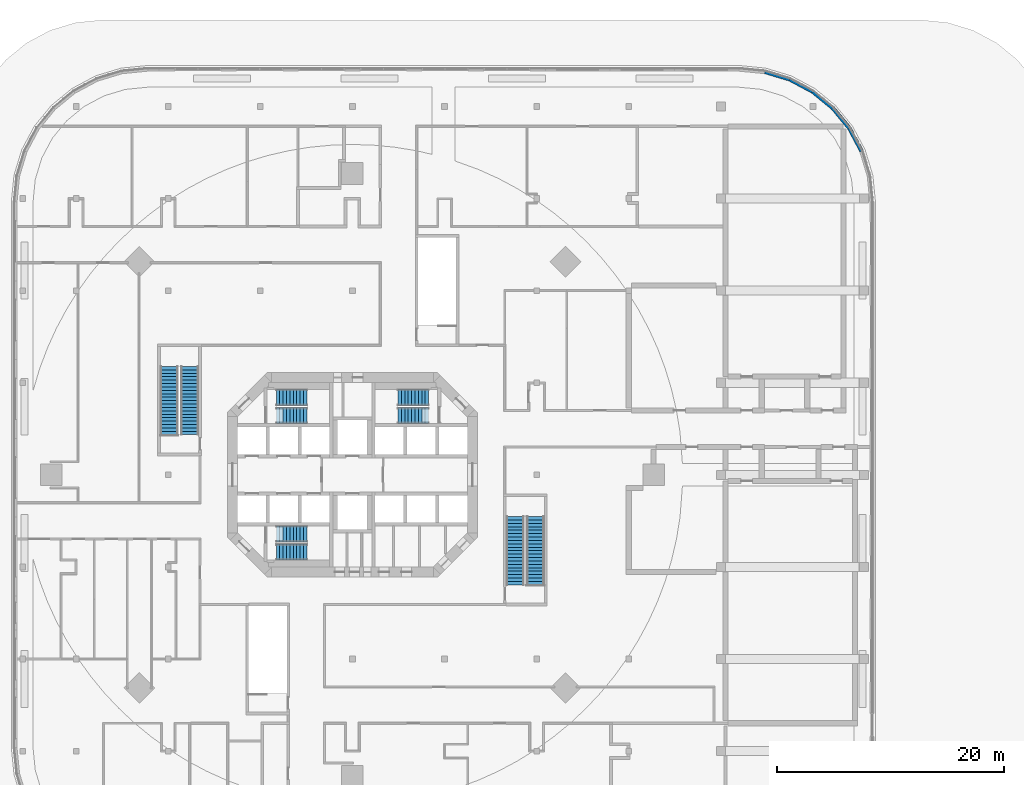
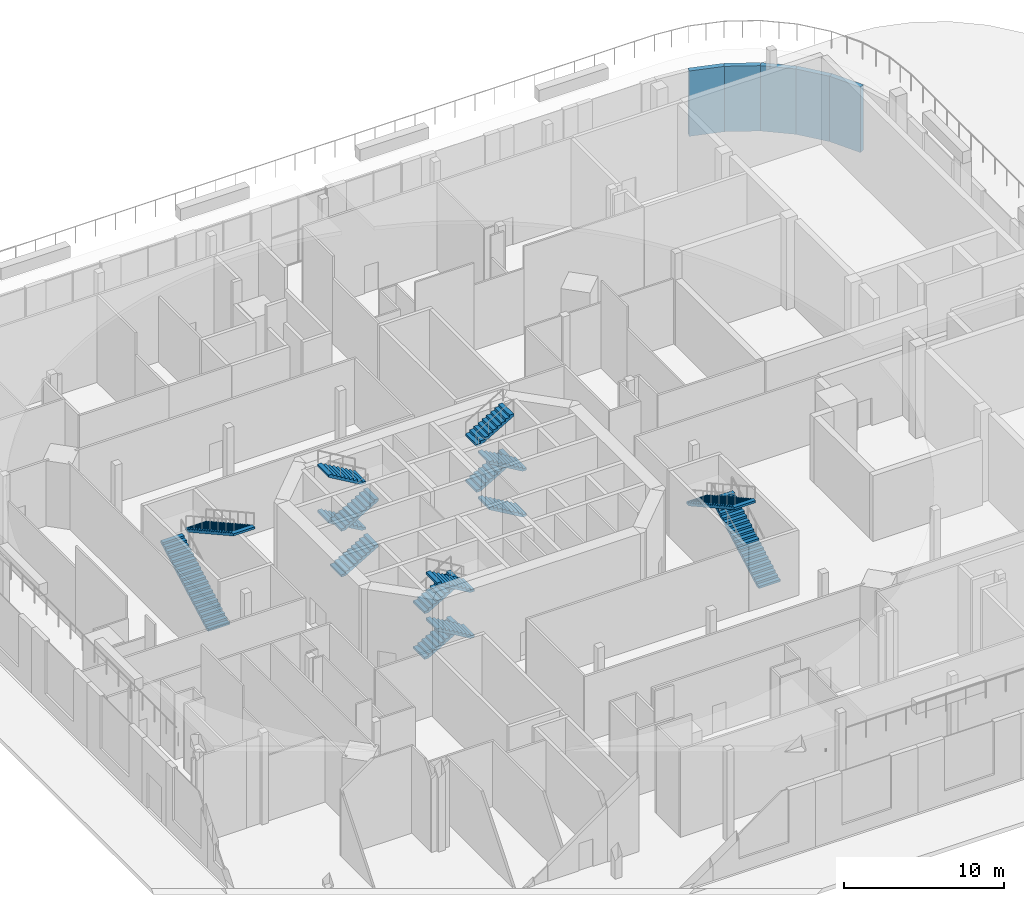
# One storey, part 14 of 17: 16 stair flights, 5 walls, 5 elements without a shape of their own.
"""IFC4 building model written with IfcOpenShell, lengths in metres."""

import ifcopenshell
import ifcopenshell.guid

model = None  # the IFC model being written
_history = None  # IfcOwnerHistory: only IFC2X3 demands one
_inside = {}  # id of a spatial element -> (the spatial element, [elements in it])
_under = {}  # id of a project, library or spatial element -> (it, [spatial elements below it])
_declared = {}  # id of a project -> (the project, [libraries it declares])
_typed = {}  # id of a type object -> (the type object, [elements of that type])
_made_of = {}  # id of a material, layer set ... -> (it, [elements and type objects made of it])


def new_model(schema):
    """Start an empty IFC model of exactly this schema.

    Asked for "IFC4X3", IfcOpenShell would pick the latest addendum, in which some entities
    have other attributes; the version numbers below select the first issue.
    IFC2X3 requires an IfcOwnerHistory on every rooted entity: one is made here for all.
    """
    global model, _history
    if schema == "IFC4X3":
        model = ifcopenshell.file(schema_version=(4, 3, 0, 0))
    else:
        model = ifcopenshell.file(schema=schema)
    _inside.clear()
    _under.clear()
    _declared.clear()
    _typed.clear()
    _made_of.clear()
    _history = None
    if model.schema == "IFC2X3":
        org = make("IfcOrganization", Name="unknown")
        user = make(
            "IfcPersonAndOrganization",
            ThePerson=make("IfcPerson", FamilyName="unknown"),
            TheOrganization=org,
        )
        app = make(
            "IfcApplication",
            ApplicationDeveloper=org,
            Version="unknown",
            ApplicationFullName="unknown",
            ApplicationIdentifier="unknown",
        )
        _history = make(
            "IfcOwnerHistory",
            OwningUser=user,
            OwningApplication=app,
            ChangeAction="ADDED",
            CreationDate=0,
        )
    return model


def make(cls, **values):
    """One entity of the class cls with the attributes given. An attribute that is None is left unset."""
    return model.create_entity(
        cls, **{name: value for name, value in values.items() if value is not None}
    )


def rooted(cls, **values):
    """An entity with a GlobalId (a new one), such as an element, a storey or a relation."""
    return make(cls, GlobalId=ifcopenshell.guid.new(), OwnerHistory=_history, **values)


def si_unit(unit_type, name, prefix=None):
    """IfcSIUnit, for example si_unit("LENGTHUNIT", "METRE", prefix="MILLI")."""
    return make("IfcSIUnit", UnitType=unit_type, Prefix=prefix, Name=name)


def assignment(units):
    """IfcUnitAssignment: the units of a project."""
    return None if units is None else make("IfcUnitAssignment", Units=units)


def point(xyz):
    """IfcCartesianPoint."""
    return None if xyz is None else make("IfcCartesianPoint", Coordinates=xyz)


def direction(xyz):
    """IfcDirection."""
    return None if xyz is None else make("IfcDirection", DirectionRatios=xyz)


def frame(location, z_axis=None, x_axis=None):
    """IfcAxis2Placement3D, a coordinate frame: its origin and axes. An axis left out is left unset."""
    return make(
        "IfcAxis2Placement3D",
        Location=point(location),
        Axis=direction(z_axis),
        RefDirection=direction(x_axis),
    )


def frame_2d(location, x_axis=None):
    """IfcAxis2Placement2D, a coordinate frame in the plane: its origin and x axis."""
    return make(
        "IfcAxis2Placement2D", Location=point(location), RefDirection=direction(x_axis)
    )


def origin():
    """The frame at (0, 0, 0) with its axes left unset."""
    return frame((0.0, 0.0, 0.0))


def place(relative_to, where):
    """IfcLocalPlacement: puts the frame where relative to a parent placement (None: the world)."""
    return make(
        "IfcLocalPlacement", PlacementRelTo=relative_to, RelativePlacement=where
    )


def context(
    kind, dimensions, precision=None, world=None, true_north=None, identifier=None
):
    """IfcGeometricRepresentationContext, for example the 3D "Model" context."""
    return make(
        "IfcGeometricRepresentationContext",
        ContextIdentifier=identifier,
        ContextType=kind,
        CoordinateSpaceDimension=dimensions,
        Precision=precision,
        WorldCoordinateSystem=world,
        TrueNorth=true_north,
    )


def subcontext(parent, identifier, kind, view, scale=None):
    """IfcGeometricRepresentationSubContext, for example "Body" below "Model"."""
    return make(
        "IfcGeometricRepresentationSubContext",
        ContextIdentifier=identifier,
        ContextType=kind,
        ParentContext=parent,
        TargetScale=scale,
        TargetView=view,
    )


def project(units=None, contexts=None):
    """IfcProject with its units and contexts."""
    return rooted(
        "IfcProject",
        Name="project",
        RepresentationContexts=contexts,
        UnitsInContext=assignment(units),
    )


def spatial(cls, under=None, at=None, **own):
    """A site, building, storey or space (cls), placed at a placement, below another one or the project."""
    s = rooted(cls, ObjectPlacement=at, **own)
    if under is not None:
        _under.setdefault(under.id(), (under, []))[1].append(s)
    return s


def polyline(points):
    """IfcPolyline through the points."""
    return make("IfcPolyline", Points=[point(p) for p in points])


def profile(cls, at=None, kind="AREA", **sizes):
    """A parametric profile (cls). Its sizes go by their IFC names, for example OverallWidth=200.0."""
    return make(cls, ProfileType=kind, Position=at, **sizes)


def rectangle(**sizes):
    """IfcRectangleProfileDef."""
    return profile("IfcRectangleProfileDef", **sizes)


def outline(outer, holes=None, kind="AREA"):
    """IfcArbitraryClosedProfileDef: a profile drawn as a closed curve; with holes, ...WithVoids."""
    if holes is None:
        return make("IfcArbitraryClosedProfileDef", ProfileType=kind, OuterCurve=outer)
    return make(
        "IfcArbitraryProfileDefWithVoids",
        ProfileType=kind,
        OuterCurve=outer,
        InnerCurves=holes,
    )


def extrude(swept, where, along, depth):
    """IfcExtrudedAreaSolid: the profile swept, set in the frame where, extruded along a direction by depth."""
    return make(
        "IfcExtrudedAreaSolid",
        SweptArea=swept,
        Position=where,
        ExtrudedDirection=direction(along),
        Depth=depth,
    )


def shape(context_of_items, identifier, shape_type, items):
    """IfcShapeRepresentation: the items that make up one representation, for example the "Body"."""
    return make(
        "IfcShapeRepresentation",
        ContextOfItems=context_of_items,
        RepresentationIdentifier=identifier,
        RepresentationType=shape_type,
        Items=items,
    )


def material(Name=None, Category=None):
    """IfcMaterial."""
    return make("IfcMaterial", Name=Name, Category=Category)


def layer(
    of_material, thickness, ventilated=None, Name=None, Category=None, Priority=None
):
    """IfcMaterialLayer: one layer of a wall or slab, of a material (None: an air gap)."""
    return make(
        "IfcMaterialLayer",
        Material=of_material,
        LayerThickness=thickness,
        IsVentilated=ventilated,
        Name=Name,
        Category=Category,
        Priority=Priority,
    )


def layer_set(layers, Name=None):
    """IfcMaterialLayerSet."""
    return make("IfcMaterialLayerSet", MaterialLayers=layers, LayerSetName=Name)


def made_of(thing, what):
    """Note that an element or type object is made of a material, layer set ...; save() writes the relation."""
    if what is not None:
        _made_of.setdefault(what.id(), (what, []))[1].append(thing)
    return thing


def type_object(cls, material=None, **own):
    """A type object (cls), such as IfcWallType, which elements share."""
    return made_of(rooted(cls, **own), material)


def element(
    cls,
    number,
    at=None,
    inside=None,
    cuts=None,
    type_object=None,
    material=None,
    context=None,
    identifier="Body",
    shape_type=None,
    held_by="IfcProductDefinitionShape",
    body=None,
    shapes=None,
    **own,
):
    """One element of the class cls, such as IfcWall. Its Tag is "e" and its number.

    at: its placement. inside: the storey or other place that contains it. cuts: it is an
    opening in that element (IfcRelVoidsElement). A single representation is given by context,
    identifier, shape_type and body (its items); several are given by shapes. held_by: the class
    of the entity that holds the representations. save() writes the other relations.
    """
    e = rooted(cls, Tag="e%d" % number, ObjectPlacement=at, **own)
    if body is not None:
        shapes = [shape(context, identifier, shape_type, body)]
    if shapes is not None:
        e.Representation = make(held_by, Representations=shapes)
    if inside is not None:
        _inside.setdefault(inside.id(), (inside, []))[1].append(e)
    if cuts is not None:
        rooted(
            "IfcRelVoidsElement", RelatingBuildingElement=cuts, RelatedOpeningElement=e
        )
    if type_object is not None:
        _typed.setdefault(type_object.id(), (type_object, []))[1].append(e)
    return made_of(e, material)


def aggregate(whole, parts):
    """IfcRelAggregates: a whole, such as a stair, and the parts it consists of."""
    return rooted("IfcRelAggregates", RelatingObject=whole, RelatedObjects=parts)


def save(model, path):
    """Write the relations noted so far, then the file.

    IfcRelAggregates (storeys below a building ...), IfcRelContainedInSpatialStructure (elements
    in a storey), IfcRelDefinesByType, IfcRelAssociatesMaterial and IfcRelDeclares: one each for
    every whole, place, type object, material and project.
    """
    for whole, parts in _under.values():
        aggregate(whole, parts)
    for where, things in _inside.values():
        rooted(
            "IfcRelContainedInSpatialStructure",
            RelatedElements=things,
            RelatingStructure=where,
        )
    for kind, things in _typed.values():
        rooted("IfcRelDefinesByType", RelatedObjects=things, RelatingType=kind)
    for what, things in _made_of.values():
        rooted("IfcRelAssociatesMaterial", RelatedObjects=things, RelatingMaterial=what)
    for by, libraries in _declared.values():
        rooted("IfcRelDeclares", RelatingContext=by, RelatedDefinitions=libraries)
    model.write(path)


model = new_model("IFC4")

# Units and contexts
model_context = context("Model", 3, precision=1e-05, world=origin(), true_north=direction((0.0, 1.0)))
body_context = subcontext(model_context, "Body", "Model", "MODEL_VIEW")
ifc_project = project(units=[si_unit("LENGTHUNIT", "METRE"), si_unit("AREAUNIT", "SQUARE_METRE"), si_unit("VOLUMEUNIT", "CUBIC_METRE"), si_unit("PLANEANGLEUNIT", "RADIAN"), si_unit("MASSUNIT", "GRAM", prefix="KILO")], contexts=[model_context])

# Site, building, storey
site_placement = place(None, origin())
site = spatial("IfcSite", under=ifc_project, at=site_placement, CompositionType="ELEMENT")
building_placement = place(site_placement, origin())
building = spatial("IfcBuilding", under=site, at=building_placement, Name="Torre Triforio", CompositionType="ELEMENT")
storey_placement = place(building_placement, frame((0.0, 0.0, 13.0)))
storey = spatial("IfcBuildingStorey", under=building, at=storey_placement, Name="L02", CompositionType="ELEMENT", Elevation=13.0)

# Walls
ifc_material_1 = material(Name="Limestone cladding", Category="masonry")
ifc_layer_1 = layer(ifc_material_1, 0.10009765625)
ifc_material_2 = material(Name="Concrete C40", Category="concrete")
ifc_layer_2 = layer(ifc_material_2, 0.25)
ifc_layer_set = layer_set([ifc_layer_1, ifc_layer_2], Name="Limestone cladding / Concrete C40")
wall_type = type_object("IfcWallType", Name="Stone-clad podium wall 350", PredefinedType="STANDARD", material=ifc_layer_set)
for number, where, z_axis, x_axis, name in (
    (1, (44.784912109375, 28.46728515625, 0.0), (0.0, 0.0, 1.0), (-0.47145739061, 0.881888841544, 0.0), "External wall L02 e11.0.w0"),
    (2, (43.7060546875, 30.4853515625, 0.0), (0.0, 0.0, 1.0), (-0.634352578082, 0.773043858187, 0.0), "External wall L02 e12.0.w0"),
    (3, (42.25439453125, 32.25439453125, 0.0), (0.0, 0.0, 1.0), (-0.773043858187, 0.634352578082, 0.0), "External wall L02 e13.0.w0"),
    (4, (40.4853515625, 33.7060546875, 0.0), (0.0, 0.0, 1.0), (-0.881888841544, 0.47145739061, 0.0), "External wall L02 e14.0.w0"),
):
    element("IfcWall", number, at=place(storey_placement, frame(where, z_axis=z_axis, x_axis=x_axis)), inside=storey, type_object=wall_type, Name=name, PredefinedType="STANDARD", context=body_context, shape_type="SweptSolid", body=[
        extrude(rectangle(XDim=2.288330078125, YDim=0.35009765625, at=frame_2d((1.14404296875, 0.0))), origin(), (0.0, 0.0, 1.0), 5.0),
    ])
wall_placement = place(storey_placement, frame((38.46728515625, 34.784912109375, 0.0), z_axis=(0.0, 0.0, 1.0), x_axis=(-0.956940921075, 0.29028274763, 0.0)))
element("IfcWall", 5, at=wall_placement, inside=storey, type_object=wall_type, Name="External wall L02 e15.0.w0", PredefinedType="STANDARD", context=body_context, shape_type="SweptSolid", body=[
    extrude(rectangle(XDim=2.28857421875, YDim=0.35009765625, at=frame_2d((1.144287109375, 0.0))), origin(), (0.0, 0.0, 1.0), 5.0),
])

# Stair, stair flights
stair_type_1 = type_object("IfcStairType", Name="Egress stair 1400 clear", PredefinedType="NOTDEFINED", material=ifc_material_2)
stair_1_placement = place(storey_placement, origin())
stair_1 = element("IfcStair", 6, at=stair_1_placement, inside=storey, type_object=stair_type_1, Name="Exit stair PS1 L02 to L03", PredefinedType="NOTDEFINED")
stair_flight_type_1 = type_object("IfcStairFlightType", Name="Egress stair flight 1400", PredefinedType="STRAIGHT", material=ifc_material_2)
stair_flight_1_placement = place(storey_placement, frame((-16.10009765625, 3.52490234375, 0.0), z_axis=(0.0, 0.0, 1.0), x_axis=(0.0, 1.0, 0.0)))
stair_flight_1 = element("IfcStairFlight", 7, at=stair_flight_1_placement, type_object=stair_flight_type_1, Name="PS1 flight 1", NumberOfRisers=21, NumberOfTreads=20, PredefinedType="STRAIGHT", RiserHeight=0.166666667, TreadLength=0.3, context=body_context, shape_type="SweptSolid", body=[
    extrude(outline(polyline([(0.0, 0.0), (0.0, 0.166748046875), (0.300048828125, 0.166748046875), (0.300048828125, 0.333251953125), (0.60009765625, 0.333251953125), (0.60009765625, 0.5), (0.89990234375, 0.5), (0.89990234375, 0.666748046875), (1.199951171875, 0.666748046875), (1.199951171875, 0.833251953125), (1.5, 0.833251953125), (1.5, 1.0), (1.800048828125, 1.0), (1.800048828125, 1.166748046875), (2.10009765625, 1.166748046875), (2.10009765625, 1.333251953125), (2.39990234375, 1.333251953125), (2.39990234375, 1.5), (2.699951171875, 1.5), (2.699951171875, 1.666748046875), (3.0, 1.666748046875), (3.0, 1.833251953125), (3.300048828125, 1.833251953125), (3.300048828125, 2.0), (3.60009765625, 2.0), (3.60009765625, 2.166748046875), (3.89990234375, 2.166748046875), (3.89990234375, 2.333251953125), (4.199951171875, 2.333251953125), (4.199951171875, 2.5), (4.5, 2.5), (4.5, 2.666748046875), (4.800048828125, 2.666748046875), (4.800048828125, 2.833251953125), (5.10009765625, 2.833251953125), (5.10009765625, 3.0), (5.39990234375, 3.0), (5.39990234375, 3.166748046875), (5.699951171875, 3.166748046875), (5.699951171875, 3.333251953125), (6.0, 3.333251953125), (6.0, 3.5), (6.0, 3.161865234375), (0.30859375, 0.0), (0.0, 0.0)])), frame((0.0, 0.77490234375, 0.0), z_axis=(0.0, -1.0, 0.0), x_axis=(1.0, 0.0, 0.0)), (0.0, 0.0, 1.0), 1.550048828125),
])
stair_flight_2_placement = place(storey_placement, frame((-14.300048828125, 9.52490234375, 3.5), z_axis=(0.0, 0.0, 1.0), x_axis=(0.0, -1.0, 0.0)))
stair_flight_2 = element("IfcStairFlight", 8, at=stair_flight_2_placement, type_object=stair_flight_type_1, Name="PS1 flight 2", NumberOfRisers=21, NumberOfTreads=20, PredefinedType="STRAIGHT", RiserHeight=0.166666667, TreadLength=0.3, context=body_context, shape_type="SweptSolid", body=[
    extrude(outline(polyline([(0.0, 0.0), (0.0, 0.166748046875), (0.300048828125, 0.166748046875), (0.300048828125, 0.333251953125), (0.60009765625, 0.333251953125), (0.60009765625, 0.5), (0.89990234375, 0.5), (0.89990234375, 0.666748046875), (1.199951171875, 0.666748046875), (1.199951171875, 0.833251953125), (1.5, 0.833251953125), (1.5, 1.0), (1.800048828125, 1.0), (1.800048828125, 1.166748046875), (2.10009765625, 1.166748046875), (2.10009765625, 1.333251953125), (2.39990234375, 1.333251953125), (2.39990234375, 1.5), (2.699951171875, 1.5), (2.699951171875, 1.666748046875), (3.0, 1.666748046875), (3.0, 1.833251953125), (3.300048828125, 1.833251953125), (3.300048828125, 2.0), (3.60009765625, 2.0), (3.60009765625, 2.166748046875), (3.89990234375, 2.166748046875), (3.89990234375, 2.333251953125), (4.199951171875, 2.333251953125), (4.199951171875, 2.5), (4.5, 2.5), (4.5, 2.666748046875), (4.800048828125, 2.666748046875), (4.800048828125, 2.833251953125), (5.10009765625, 2.833251953125), (5.10009765625, 3.0), (5.39990234375, 3.0), (5.39990234375, 3.166748046875), (5.699951171875, 3.166748046875), (5.699951171875, 3.333251953125), (6.0, 3.333251953125), (6.0, 3.5), (6.0, 3.161865234375), (0.30859375, 0.0), (0.0, 0.0)])), frame((0.0, 0.77490234375, 0.0), z_axis=(0.0, -1.0, 0.0), x_axis=(1.0, 0.0, 0.0)), (0.0, 0.0, 1.0), 1.550048828125),
])
aggregate(stair_1, [stair_flight_1, stair_flight_2])

stair_2_placement = place(storey_placement, origin())
stair_2 = element("IfcStair", 9, at=stair_2_placement, inside=storey, type_object=stair_type_1, Name="Exit stair PS2 L02 to L03", PredefinedType="NOTDEFINED")
stair_flight_3_placement = place(storey_placement, frame((16.10009765625, -9.675048828125, 0.0), z_axis=(0.0, 0.0, 1.0), x_axis=(0.0, 1.0, 0.0)))
stair_flight_3 = element("IfcStairFlight", 10, at=stair_flight_3_placement, type_object=stair_flight_type_1, Name="PS2 flight 1", NumberOfRisers=21, NumberOfTreads=20, PredefinedType="STRAIGHT", RiserHeight=0.166666667, TreadLength=0.3, context=body_context, shape_type="SweptSolid", body=[
    extrude(outline(polyline([(0.0, 0.0), (0.0, 0.166748046875), (0.300048828125, 0.166748046875), (0.300048828125, 0.333251953125), (0.60009765625, 0.333251953125), (0.60009765625, 0.5), (0.89990234375, 0.5), (0.89990234375, 0.666748046875), (1.199951171875, 0.666748046875), (1.199951171875, 0.833251953125), (1.5, 0.833251953125), (1.5, 1.0), (1.800048828125, 1.0), (1.800048828125, 1.166748046875), (2.10009765625, 1.166748046875), (2.10009765625, 1.333251953125), (2.39990234375, 1.333251953125), (2.39990234375, 1.5), (2.699951171875, 1.5), (2.699951171875, 1.666748046875), (3.0, 1.666748046875), (3.0, 1.833251953125), (3.300048828125, 1.833251953125), (3.300048828125, 2.0), (3.60009765625, 2.0), (3.60009765625, 2.166748046875), (3.89990234375, 2.166748046875), (3.89990234375, 2.333251953125), (4.199951171875, 2.333251953125), (4.199951171875, 2.5), (4.5, 2.5), (4.5, 2.666748046875), (4.800048828125, 2.666748046875), (4.800048828125, 2.833251953125), (5.10009765625, 2.833251953125), (5.10009765625, 3.0), (5.39990234375, 3.0), (5.39990234375, 3.166748046875), (5.699951171875, 3.166748046875), (5.699951171875, 3.333251953125), (6.0, 3.333251953125), (6.0, 3.5), (6.0, 3.161865234375), (0.30859375, 0.0), (0.0, 0.0)])), frame((0.0, 0.77490234375, 0.0), z_axis=(0.0, -1.0, 0.0), x_axis=(1.0, 0.0, 0.0)), (0.0, 0.0, 1.0), 1.550048828125),
])
stair_flight_4_placement = place(storey_placement, frame((14.300048828125, -3.675048828125, 3.5), z_axis=(0.0, 0.0, 1.0), x_axis=(0.0, -1.0, 0.0)))
stair_flight_4 = element("IfcStairFlight", 11, at=stair_flight_4_placement, type_object=stair_flight_type_1, Name="PS2 flight 2", NumberOfRisers=21, NumberOfTreads=20, PredefinedType="STRAIGHT", RiserHeight=0.166666667, TreadLength=0.3, context=body_context, shape_type="SweptSolid", body=[
    extrude(outline(polyline([(0.0, 0.0), (0.0, 0.166748046875), (0.300048828125, 0.166748046875), (0.300048828125, 0.333251953125), (0.60009765625, 0.333251953125), (0.60009765625, 0.5), (0.89990234375, 0.5), (0.89990234375, 0.666748046875), (1.199951171875, 0.666748046875), (1.199951171875, 0.833251953125), (1.5, 0.833251953125), (1.5, 1.0), (1.800048828125, 1.0), (1.800048828125, 1.166748046875), (2.10009765625, 1.166748046875), (2.10009765625, 1.333251953125), (2.39990234375, 1.333251953125), (2.39990234375, 1.5), (2.699951171875, 1.5), (2.699951171875, 1.666748046875), (3.0, 1.666748046875), (3.0, 1.833251953125), (3.300048828125, 1.833251953125), (3.300048828125, 2.0), (3.60009765625, 2.0), (3.60009765625, 2.166748046875), (3.89990234375, 2.166748046875), (3.89990234375, 2.333251953125), (4.199951171875, 2.333251953125), (4.199951171875, 2.5), (4.5, 2.5), (4.5, 2.666748046875), (4.800048828125, 2.666748046875), (4.800048828125, 2.833251953125), (5.10009765625, 2.833251953125), (5.10009765625, 3.0), (5.39990234375, 3.0), (5.39990234375, 3.166748046875), (5.699951171875, 3.166748046875), (5.699951171875, 3.333251953125), (6.0, 3.333251953125), (6.0, 3.5), (6.0, 3.161865234375), (0.30859375, 0.0), (0.0, 0.0)])), frame((0.0, 0.77490234375, 0.0), z_axis=(0.0, -1.0, 0.0), x_axis=(1.0, 0.0, 0.0)), (0.0, 0.0, 1.0), 1.550048828125),
])
aggregate(stair_2, [stair_flight_3, stair_flight_4])

stair_type_2 = type_object("IfcStairType", Name="STAIR DOUBLE RETURN", PredefinedType="DOUBLE_RETURN_STAIR", material=ifc_material_2)
stair_3_placement = place(storey_placement, origin())
stair_3 = element("IfcStair", 12, at=stair_3_placement, inside=storey, type_object=stair_type_2, Name="Exit stair 1", PredefinedType="DOUBLE_RETURN_STAIR")
stair_flight_type_2 = type_object("IfcStairFlightType", Name="STAIR FLIGHT 1400", PredefinedType="STRAIGHT", material=ifc_material_2)
stair_flight_5_placement = place(storey_placement, frame((-6.699951171875, 5.199951171875, 0.0), z_axis=(0.0, 0.0, 1.0), x_axis=(1.0, 0.0, 0.0)))
stair_flight_5 = element("IfcStairFlight", 13, at=stair_flight_5_placement, type_object=stair_flight_type_2, Name="ST1 flight 1", NumberOfRisers=10, NumberOfTreads=9, PredefinedType="STRAIGHT", RiserHeight=0.175, TreadLength=0.3, context=body_context, shape_type="SweptSolid", body=[
    extrude(outline(polyline([(0.0, 0.0), (0.0, 0.175048828125), (0.300048828125, 0.175048828125), (0.300048828125, 0.35009765625), (0.60009765625, 0.35009765625), (0.60009765625, 0.52490234375), (0.89990234375, 0.52490234375), (0.89990234375, 0.699951171875), (1.199951171875, 0.699951171875), (1.199951171875, 0.875), (1.5, 0.875), (1.5, 1.050048828125), (1.800048828125, 1.050048828125), (1.800048828125, 1.22509765625), (2.10009765625, 1.22509765625), (2.10009765625, 1.39990234375), (2.39990234375, 1.39990234375), (2.39990234375, 1.574951171875), (2.699951171875, 1.574951171875), (2.699951171875, 1.75), (2.699951171875, 1.4013671875), (0.297607421875, 0.0), (0.0, 0.0)])), frame((0.0, 0.699951171875, 0.0), z_axis=(0.0, -1.0, 0.0), x_axis=(1.0, 0.0, 0.0)), (0.0, 0.0, 1.0), 1.39990234375),
])
stair_flight_6_placement = place(storey_placement, frame((-4.0, 6.800048828125, 1.75), z_axis=(0.0, 0.0, 1.0), x_axis=(-1.0, 0.0, 0.0)))
stair_flight_6 = element("IfcStairFlight", 14, at=stair_flight_6_placement, type_object=stair_flight_type_2, Name="ST1 flight 2", NumberOfRisers=10, NumberOfTreads=9, PredefinedType="STRAIGHT", RiserHeight=0.175, TreadLength=0.3, context=body_context, shape_type="SweptSolid", body=[
    extrude(outline(polyline([(0.0, 0.0), (0.0, 0.175048828125), (0.300048828125, 0.175048828125), (0.300048828125, 0.35009765625), (0.60009765625, 0.35009765625), (0.60009765625, 0.52490234375), (0.89990234375, 0.52490234375), (0.89990234375, 0.699951171875), (1.199951171875, 0.699951171875), (1.199951171875, 0.875), (1.5, 0.875), (1.5, 1.050048828125), (1.800048828125, 1.050048828125), (1.800048828125, 1.22509765625), (2.10009765625, 1.22509765625), (2.10009765625, 1.39990234375), (2.39990234375, 1.39990234375), (2.39990234375, 1.574951171875), (2.699951171875, 1.574951171875), (2.699951171875, 1.75), (2.699951171875, 1.4013671875), (0.297607421875, 0.0), (0.0, 0.0)])), frame((0.0, 0.699951171875, 0.0), z_axis=(0.0, -1.0, 0.0), x_axis=(1.0, 0.0, 0.0)), (0.0, 0.0, 1.0), 1.39990234375),
])
stair_flight_7_placement = place(storey_placement, frame((-6.699951171875, 5.199951171875, 3.5), z_axis=(0.0, 0.0, 1.0), x_axis=(1.0, 0.0, 0.0)))
stair_flight_7 = element("IfcStairFlight", 15, at=stair_flight_7_placement, type_object=stair_flight_type_2, Name="ST1 flight 3", NumberOfRisers=10, NumberOfTreads=9, PredefinedType="STRAIGHT", RiserHeight=0.175, TreadLength=0.3, context=body_context, shape_type="SweptSolid", body=[
    extrude(outline(polyline([(0.0, 0.0), (0.0, 0.175048828125), (0.300048828125, 0.175048828125), (0.300048828125, 0.35009765625), (0.60009765625, 0.35009765625), (0.60009765625, 0.52490234375), (0.89990234375, 0.52490234375), (0.89990234375, 0.699951171875), (1.199951171875, 0.699951171875), (1.199951171875, 0.875), (1.5, 0.875), (1.5, 1.050048828125), (1.800048828125, 1.050048828125), (1.800048828125, 1.22509765625), (2.10009765625, 1.22509765625), (2.10009765625, 1.39990234375), (2.39990234375, 1.39990234375), (2.39990234375, 1.574951171875), (2.699951171875, 1.574951171875), (2.699951171875, 1.75), (2.699951171875, 1.4013671875), (0.297607421875, 0.0), (0.0, 0.0)])), frame((0.0, 0.699951171875, 0.0), z_axis=(0.0, -1.0, 0.0), x_axis=(1.0, 0.0, 0.0)), (0.0, 0.0, 1.0), 1.39990234375),
])
stair_flight_8_placement = place(storey_placement, frame((-4.0, 6.800048828125, 5.25), z_axis=(0.0, 0.0, 1.0), x_axis=(-1.0, 0.0, 0.0)))
stair_flight_8 = element("IfcStairFlight", 16, at=stair_flight_8_placement, type_object=stair_flight_type_2, Name="ST1 flight 4", NumberOfRisers=10, NumberOfTreads=9, PredefinedType="STRAIGHT", RiserHeight=0.175, TreadLength=0.3, context=body_context, shape_type="SweptSolid", body=[
    extrude(outline(polyline([(0.0, 0.0), (0.0, 0.175048828125), (0.300048828125, 0.175048828125), (0.300048828125, 0.35009765625), (0.60009765625, 0.35009765625), (0.60009765625, 0.52490234375), (0.89990234375, 0.52490234375), (0.89990234375, 0.699951171875), (1.199951171875, 0.699951171875), (1.199951171875, 0.875), (1.5, 0.875), (1.5, 1.050048828125), (1.800048828125, 1.050048828125), (1.800048828125, 1.22509765625), (2.10009765625, 1.22509765625), (2.10009765625, 1.39990234375), (2.39990234375, 1.39990234375), (2.39990234375, 1.574951171875), (2.699951171875, 1.574951171875), (2.699951171875, 1.75), (2.699951171875, 1.4013671875), (0.297607421875, 0.0), (0.0, 0.0)])), frame((0.0, 0.699951171875, 0.0), z_axis=(0.0, -1.0, 0.0), x_axis=(1.0, 0.0, 0.0)), (0.0, 0.0, 1.0), 1.39990234375),
])
aggregate(stair_3, [stair_flight_5, stair_flight_6, stair_flight_7, stair_flight_8])

stair_4_placement = place(storey_placement, origin())
stair_4 = element("IfcStair", 17, at=stair_4_placement, inside=storey, type_object=stair_type_2, Name="Exit stair 2", PredefinedType="DOUBLE_RETURN_STAIR")
stair_flight_9_placement = place(storey_placement, frame((6.699951171875, 5.199951171875, 0.0), z_axis=(0.0, 0.0, 1.0), x_axis=(-1.0, 0.0, 0.0)))
stair_flight_9 = element("IfcStairFlight", 18, at=stair_flight_9_placement, type_object=stair_flight_type_2, Name="ST2 flight 1", NumberOfRisers=10, NumberOfTreads=9, PredefinedType="STRAIGHT", RiserHeight=0.175, TreadLength=0.3, context=body_context, shape_type="SweptSolid", body=[
    extrude(outline(polyline([(0.0, 0.0), (0.0, 0.175048828125), (0.300048828125, 0.175048828125), (0.300048828125, 0.35009765625), (0.60009765625, 0.35009765625), (0.60009765625, 0.52490234375), (0.89990234375, 0.52490234375), (0.89990234375, 0.699951171875), (1.199951171875, 0.699951171875), (1.199951171875, 0.875), (1.5, 0.875), (1.5, 1.050048828125), (1.800048828125, 1.050048828125), (1.800048828125, 1.22509765625), (2.10009765625, 1.22509765625), (2.10009765625, 1.39990234375), (2.39990234375, 1.39990234375), (2.39990234375, 1.574951171875), (2.699951171875, 1.574951171875), (2.699951171875, 1.75), (2.699951171875, 1.4013671875), (0.297607421875, 0.0), (0.0, 0.0)])), frame((0.0, 0.699951171875, 0.0), z_axis=(0.0, -1.0, 0.0), x_axis=(1.0, 0.0, 0.0)), (0.0, 0.0, 1.0), 1.39990234375),
])
stair_flight_10_placement = place(storey_placement, frame((4.0, 6.800048828125, 1.75), z_axis=(0.0, 0.0, 1.0), x_axis=(1.0, 0.0, 0.0)))
stair_flight_10 = element("IfcStairFlight", 19, at=stair_flight_10_placement, type_object=stair_flight_type_2, Name="ST2 flight 2", NumberOfRisers=10, NumberOfTreads=9, PredefinedType="STRAIGHT", RiserHeight=0.175, TreadLength=0.3, context=body_context, shape_type="SweptSolid", body=[
    extrude(outline(polyline([(0.0, 0.0), (0.0, 0.175048828125), (0.300048828125, 0.175048828125), (0.300048828125, 0.35009765625), (0.60009765625, 0.35009765625), (0.60009765625, 0.52490234375), (0.89990234375, 0.52490234375), (0.89990234375, 0.699951171875), (1.199951171875, 0.699951171875), (1.199951171875, 0.875), (1.5, 0.875), (1.5, 1.050048828125), (1.800048828125, 1.050048828125), (1.800048828125, 1.22509765625), (2.10009765625, 1.22509765625), (2.10009765625, 1.39990234375), (2.39990234375, 1.39990234375), (2.39990234375, 1.574951171875), (2.699951171875, 1.574951171875), (2.699951171875, 1.75), (2.699951171875, 1.4013671875), (0.297607421875, 0.0), (0.0, 0.0)])), frame((0.0, 0.699951171875, 0.0), z_axis=(0.0, -1.0, 0.0), x_axis=(1.0, 0.0, 0.0)), (0.0, 0.0, 1.0), 1.39990234375),
])
stair_flight_11_placement = place(storey_placement, frame((6.699951171875, 5.199951171875, 3.5), z_axis=(0.0, 0.0, 1.0), x_axis=(-1.0, 0.0, 0.0)))
stair_flight_11 = element("IfcStairFlight", 20, at=stair_flight_11_placement, type_object=stair_flight_type_2, Name="ST2 flight 3", NumberOfRisers=10, NumberOfTreads=9, PredefinedType="STRAIGHT", RiserHeight=0.175, TreadLength=0.3, context=body_context, shape_type="SweptSolid", body=[
    extrude(outline(polyline([(0.0, 0.0), (0.0, 0.175048828125), (0.300048828125, 0.175048828125), (0.300048828125, 0.35009765625), (0.60009765625, 0.35009765625), (0.60009765625, 0.52490234375), (0.89990234375, 0.52490234375), (0.89990234375, 0.699951171875), (1.199951171875, 0.699951171875), (1.199951171875, 0.875), (1.5, 0.875), (1.5, 1.050048828125), (1.800048828125, 1.050048828125), (1.800048828125, 1.22509765625), (2.10009765625, 1.22509765625), (2.10009765625, 1.39990234375), (2.39990234375, 1.39990234375), (2.39990234375, 1.574951171875), (2.699951171875, 1.574951171875), (2.699951171875, 1.75), (2.699951171875, 1.4013671875), (0.297607421875, 0.0), (0.0, 0.0)])), frame((0.0, 0.699951171875, 0.0), z_axis=(0.0, -1.0, 0.0), x_axis=(1.0, 0.0, 0.0)), (0.0, 0.0, 1.0), 1.39990234375),
])
stair_flight_12_placement = place(storey_placement, frame((4.0, 6.800048828125, 5.25), z_axis=(0.0, 0.0, 1.0), x_axis=(1.0, 0.0, 0.0)))
stair_flight_12 = element("IfcStairFlight", 21, at=stair_flight_12_placement, type_object=stair_flight_type_2, Name="ST2 flight 4", NumberOfRisers=10, NumberOfTreads=9, PredefinedType="STRAIGHT", RiserHeight=0.175, TreadLength=0.3, context=body_context, shape_type="SweptSolid", body=[
    extrude(outline(polyline([(0.0, 0.0), (0.0, 0.175048828125), (0.300048828125, 0.175048828125), (0.300048828125, 0.35009765625), (0.60009765625, 0.35009765625), (0.60009765625, 0.52490234375), (0.89990234375, 0.52490234375), (0.89990234375, 0.699951171875), (1.199951171875, 0.699951171875), (1.199951171875, 0.875), (1.5, 0.875), (1.5, 1.050048828125), (1.800048828125, 1.050048828125), (1.800048828125, 1.22509765625), (2.10009765625, 1.22509765625), (2.10009765625, 1.39990234375), (2.39990234375, 1.39990234375), (2.39990234375, 1.574951171875), (2.699951171875, 1.574951171875), (2.699951171875, 1.75), (2.699951171875, 1.4013671875), (0.297607421875, 0.0), (0.0, 0.0)])), frame((0.0, 0.699951171875, 0.0), z_axis=(0.0, -1.0, 0.0), x_axis=(1.0, 0.0, 0.0)), (0.0, 0.0, 1.0), 1.39990234375),
])
aggregate(stair_4, [stair_flight_9, stair_flight_10, stair_flight_11, stair_flight_12])

stair_5_placement = place(storey_placement, origin())
stair_5 = element("IfcStair", 22, at=stair_5_placement, inside=storey, type_object=stair_type_2, Name="Exit stair 3", PredefinedType="DOUBLE_RETURN_STAIR")
stair_flight_13_placement = place(storey_placement, frame((-6.699951171875, -5.199951171875, 0.0), z_axis=(0.0, 0.0, 1.0), x_axis=(1.0, 0.0, 0.0)))
stair_flight_13 = element("IfcStairFlight", 23, at=stair_flight_13_placement, type_object=stair_flight_type_2, Name="ST3 flight 1", NumberOfRisers=10, NumberOfTreads=9, PredefinedType="STRAIGHT", RiserHeight=0.175, TreadLength=0.3, context=body_context, shape_type="SweptSolid", body=[
    extrude(outline(polyline([(0.0, 0.0), (0.0, 0.175048828125), (0.300048828125, 0.175048828125), (0.300048828125, 0.35009765625), (0.60009765625, 0.35009765625), (0.60009765625, 0.52490234375), (0.89990234375, 0.52490234375), (0.89990234375, 0.699951171875), (1.199951171875, 0.699951171875), (1.199951171875, 0.875), (1.5, 0.875), (1.5, 1.050048828125), (1.800048828125, 1.050048828125), (1.800048828125, 1.22509765625), (2.10009765625, 1.22509765625), (2.10009765625, 1.39990234375), (2.39990234375, 1.39990234375), (2.39990234375, 1.574951171875), (2.699951171875, 1.574951171875), (2.699951171875, 1.75), (2.699951171875, 1.4013671875), (0.297607421875, 0.0), (0.0, 0.0)])), frame((0.0, 0.699951171875, 0.0), z_axis=(0.0, -1.0, 0.0), x_axis=(1.0, 0.0, 0.0)), (0.0, 0.0, 1.0), 1.39990234375),
])
stair_flight_14_placement = place(storey_placement, frame((-4.0, -6.800048828125, 1.75), z_axis=(0.0, 0.0, 1.0), x_axis=(-1.0, 0.0, 0.0)))
stair_flight_14 = element("IfcStairFlight", 24, at=stair_flight_14_placement, type_object=stair_flight_type_2, Name="ST3 flight 2", NumberOfRisers=10, NumberOfTreads=9, PredefinedType="STRAIGHT", RiserHeight=0.175, TreadLength=0.3, context=body_context, shape_type="SweptSolid", body=[
    extrude(outline(polyline([(0.0, 0.0), (0.0, 0.175048828125), (0.300048828125, 0.175048828125), (0.300048828125, 0.35009765625), (0.60009765625, 0.35009765625), (0.60009765625, 0.52490234375), (0.89990234375, 0.52490234375), (0.89990234375, 0.699951171875), (1.199951171875, 0.699951171875), (1.199951171875, 0.875), (1.5, 0.875), (1.5, 1.050048828125), (1.800048828125, 1.050048828125), (1.800048828125, 1.22509765625), (2.10009765625, 1.22509765625), (2.10009765625, 1.39990234375), (2.39990234375, 1.39990234375), (2.39990234375, 1.574951171875), (2.699951171875, 1.574951171875), (2.699951171875, 1.75), (2.699951171875, 1.4013671875), (0.297607421875, 0.0), (0.0, 0.0)])), frame((0.0, 0.699951171875, 0.0), z_axis=(0.0, -1.0, 0.0), x_axis=(1.0, 0.0, 0.0)), (0.0, 0.0, 1.0), 1.39990234375),
])
stair_flight_15_placement = place(storey_placement, frame((-6.699951171875, -5.199951171875, 3.5), z_axis=(0.0, 0.0, 1.0), x_axis=(1.0, 0.0, 0.0)))
stair_flight_15 = element("IfcStairFlight", 25, at=stair_flight_15_placement, type_object=stair_flight_type_2, Name="ST3 flight 3", NumberOfRisers=10, NumberOfTreads=9, PredefinedType="STRAIGHT", RiserHeight=0.175, TreadLength=0.3, context=body_context, shape_type="SweptSolid", body=[
    extrude(outline(polyline([(0.0, 0.0), (0.0, 0.175048828125), (0.300048828125, 0.175048828125), (0.300048828125, 0.35009765625), (0.60009765625, 0.35009765625), (0.60009765625, 0.52490234375), (0.89990234375, 0.52490234375), (0.89990234375, 0.699951171875), (1.199951171875, 0.699951171875), (1.199951171875, 0.875), (1.5, 0.875), (1.5, 1.050048828125), (1.800048828125, 1.050048828125), (1.800048828125, 1.22509765625), (2.10009765625, 1.22509765625), (2.10009765625, 1.39990234375), (2.39990234375, 1.39990234375), (2.39990234375, 1.574951171875), (2.699951171875, 1.574951171875), (2.699951171875, 1.75), (2.699951171875, 1.4013671875), (0.297607421875, 0.0), (0.0, 0.0)])), frame((0.0, 0.699951171875, 0.0), z_axis=(0.0, -1.0, 0.0), x_axis=(1.0, 0.0, 0.0)), (0.0, 0.0, 1.0), 1.39990234375),
])
stair_flight_16_placement = place(storey_placement, frame((-4.0, -6.800048828125, 5.25), z_axis=(0.0, 0.0, 1.0), x_axis=(-1.0, 0.0, 0.0)))
stair_flight_16 = element("IfcStairFlight", 26, at=stair_flight_16_placement, type_object=stair_flight_type_2, Name="ST3 flight 4", NumberOfRisers=10, NumberOfTreads=9, PredefinedType="STRAIGHT", RiserHeight=0.175, TreadLength=0.3, context=body_context, shape_type="SweptSolid", body=[
    extrude(outline(polyline([(0.0, 0.0), (0.0, 0.175048828125), (0.300048828125, 0.175048828125), (0.300048828125, 0.35009765625), (0.60009765625, 0.35009765625), (0.60009765625, 0.52490234375), (0.89990234375, 0.52490234375), (0.89990234375, 0.699951171875), (1.199951171875, 0.699951171875), (1.199951171875, 0.875), (1.5, 0.875), (1.5, 1.050048828125), (1.800048828125, 1.050048828125), (1.800048828125, 1.22509765625), (2.10009765625, 1.22509765625), (2.10009765625, 1.39990234375), (2.39990234375, 1.39990234375), (2.39990234375, 1.574951171875), (2.699951171875, 1.574951171875), (2.699951171875, 1.75), (2.699951171875, 1.4013671875), (0.297607421875, 0.0), (0.0, 0.0)])), frame((0.0, 0.699951171875, 0.0), z_axis=(0.0, -1.0, 0.0), x_axis=(1.0, 0.0, 0.0)), (0.0, 0.0, 1.0), 1.39990234375),
])
aggregate(stair_5, [stair_flight_13, stair_flight_14, stair_flight_15, stair_flight_16])

save(model, "model.ifc")
